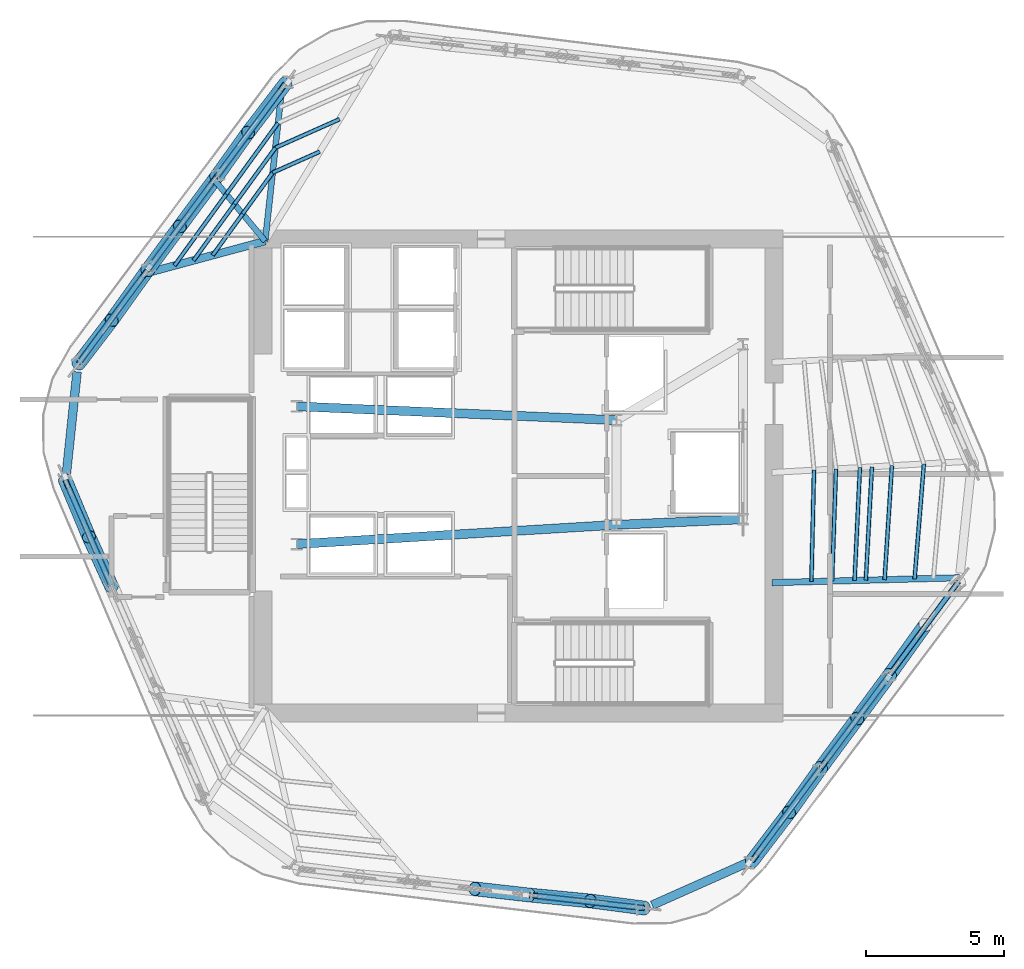
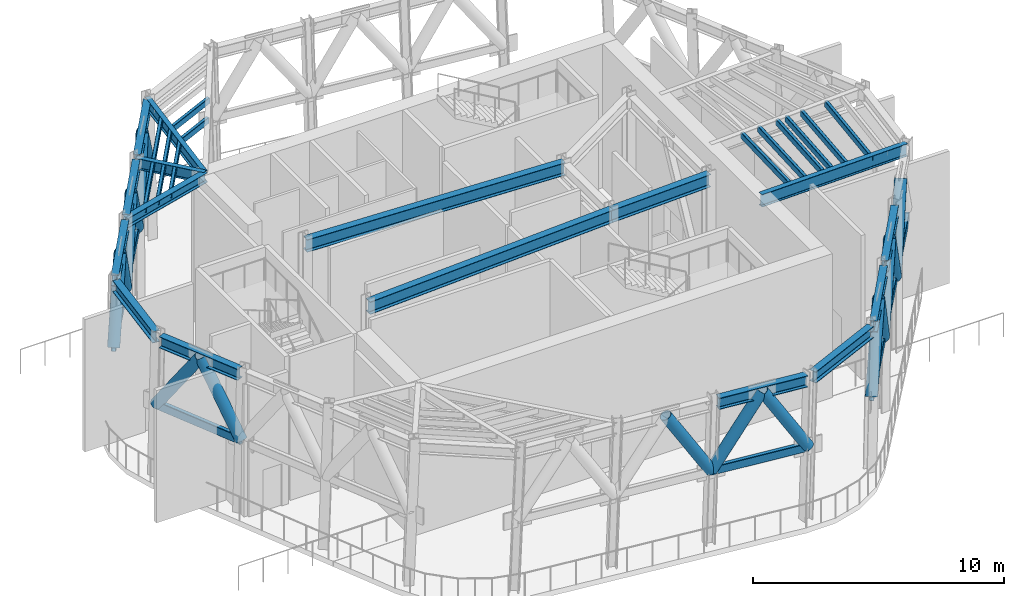
# One storey, part 2 of 10: 38 members, 16 beams.
"""IFC4 building model written with IfcOpenShell, lengths in metres."""

from ifc_helpers import new_model, si_unit, direction, frame, origin, origin_2d, place, context, subcontext, project, spatial, hollow_rectangle, hollow_circle, i_section, extrude, material, material_profile, profile_set, type_object, element, save


model = new_model("IFC4")

# Units and contexts
model_context = context("Model", 3, precision=1e-05, world=origin(), true_north=direction((0.0, 1.0)))
body_context = subcontext(model_context, "Body", "Model", "MODEL_VIEW")
ifc_project = project(units=[si_unit("LENGTHUNIT", "METRE"), si_unit("AREAUNIT", "SQUARE_METRE"), si_unit("VOLUMEUNIT", "CUBIC_METRE"), si_unit("PLANEANGLEUNIT", "RADIAN"), si_unit("MASSUNIT", "GRAM", prefix="KILO")], contexts=[model_context])

# Site, building, storey
site_placement = place(None, origin())
site = spatial("IfcSite", under=ifc_project, at=site_placement, CompositionType="ELEMENT")
building_placement = place(site_placement, origin())
building = spatial("IfcBuilding", under=site, at=building_placement, Name="Valkerne Bourse Tower", CompositionType="ELEMENT")
storey_placement = place(building_placement, frame((0.0, 0.0, 251.199951171875)))
storey = spatial("IfcBuildingStorey", under=building, at=storey_placement, Name="L64", CompositionType="ELEMENT", Elevation=251.199951171875)

# Beams
ifc_material_1 = material(Name="Steel ASTM A992", Category="steel")
ifc_material_profile_1 = material_profile(ifc_material_1, i_section(OverallWidth=0.279296875, OverallDepth=0.46240234375, WebThickness=0.0107421875, FlangeThickness=0.017333984375, FilletRadius=0.017822265625, at=origin_2d()), Name="W18X76")
ifc_profile_set_1 = profile_set([ifc_material_profile_1], Name="Steel ASTM A992")
beam_type_1 = type_object("IfcBeamType", Name="BM-W18X76", PredefinedType="BEAM", material=ifc_profile_set_1)
beam_1_placement = place(storey_placement, frame((33.26611328125, 34.229736328125, 6.768798828125), z_axis=(0.965429629998, 0.260663824728, 0.0), x_axis=(-0.260663824728, 0.965429629998, 0.0)))
element("IfcBeam", 1, at=beam_1_placement, inside=storey, type_object=beam_type_1, Name="L64 Radial Composite Floor Beam 06", PredefinedType="BEAM", context=body_context, shape_type="SweptSolid", body=[
    extrude(i_section(OverallWidth=0.279296875, OverallDepth=0.46240234375, WebThickness=0.0107421875, FlangeThickness=0.017333984375, FilletRadius=0.017822265625, at=origin_2d()), origin(), (0.0, 0.0, 1.0), 4.4892578125),
])
ifc_material_profile_2 = material_profile(ifc_material_1, i_section(OverallWidth=0.31494140625, OverallDepth=0.5537109375, WebThickness=0.0166015625, FlangeThickness=0.026123046875, FilletRadius=0.020263671875, at=origin_2d()), Name="W21X132")
ifc_profile_set_2 = profile_set([ifc_material_profile_2], Name="Steel ASTM A992")
beam_type_2 = type_object("IfcBeamType", Name="BM-W21X132", PredefinedType="BEAM", material=ifc_profile_set_2)
beam_2_placement = place(storey_placement, frame((38.11767578125, 40.907470703125, 6.72314453125), z_axis=(-0.5877742263, -0.809025005112, 0.0), x_axis=(0.809025005112, -0.5877742263, 0.0)))
element("IfcBeam", 2, at=beam_2_placement, inside=storey, type_object=beam_type_2, Name="L64 Hexagonal Spandrel Ring Beam 04", PredefinedType="BEAM", context=body_context, shape_type="SweptSolid", body=[
    extrude(i_section(OverallWidth=0.31494140625, OverallDepth=0.5537109375, WebThickness=0.0166015625, FlangeThickness=0.026123046875, FilletRadius=0.020263671875, at=origin_2d()), origin(), (0.0, 0.0, 1.0), 3.8720703125),
])
beam_3_placement = place(storey_placement, frame((35.641845703125, 37.5, 6.72314453125), z_axis=(-0.587744244506, -0.809046786688, 0.0), x_axis=(0.809046786688, -0.587744244506, 0.0)))
element("IfcBeam", 3, at=beam_3_placement, inside=storey, type_object=beam_type_2, Name="L64 Hexagonal Spandrel Ring Beam 05", PredefinedType="BEAM", context=body_context, shape_type="SweptSolid", body=[
    extrude(i_section(OverallWidth=0.31494140625, OverallDepth=0.5537109375, WebThickness=0.0166015625, FlangeThickness=0.026123046875, FilletRadius=0.020263671875, at=origin_2d()), origin(), (0.0, 0.0, 1.0), 3.872314453125),
])
beam_4_placement = place(storey_placement, frame((33.166259765625, 34.09228515625, 6.72314453125), z_axis=(-0.587815493138, -0.808995022251, 0.0), x_axis=(0.808995022251, -0.587815493138, 0.0)))
element("IfcBeam", 4, at=beam_4_placement, inside=storey, type_object=beam_type_2, Name="L64 Hexagonal Spandrel Ring Beam 06", PredefinedType="BEAM", context=body_context, shape_type="SweptSolid", body=[
    extrude(i_section(OverallWidth=0.31494140625, OverallDepth=0.5537109375, WebThickness=0.0166015625, FlangeThickness=0.026123046875, FilletRadius=0.020263671875, at=origin_2d()), origin(), (0.0, 0.0, 1.0), 3.8720703125),
])
beam_5_placement = place(storey_placement, frame((30.7724609375, 30.653076171875, 6.72314453125), z_axis=(-0.10450302056, -0.994524569176, 0.0), x_axis=(0.994524569176, -0.10450302056, 0.0)))
element("IfcBeam", 5, at=beam_5_placement, inside=storey, type_object=beam_type_2, Name="L64 Hexagonal Spandrel Ring Beam 07", PredefinedType="BEAM", context=body_context, shape_type="SweptSolid", body=[
    extrude(i_section(OverallWidth=0.31494140625, OverallDepth=0.5537109375, WebThickness=0.0166015625, FlangeThickness=0.026123046875, FilletRadius=0.020263671875, at=origin_2d()), origin(), (0.0, 0.0, 1.0), 3.91552734375),
])
for number, where, z_axis, x_axis, name in (
    (6, (30.41455078125, 26.4345703125, 6.72314453125), (0.406740935739, -0.913543546414, 0.0), (0.913543546414, 0.406740935739, 0.0), "L64 Hexagonal Spandrel Ring Beam 08"),
    (7, (47.474853515625, 11.646484375, 6.72314453125), (0.994527197496, -0.104478004581, 0.0), (0.104478004581, 0.994527197496, 0.0), "L64 Hexagonal Spandrel Ring Beam 14"),
):
    element("IfcBeam", number, at=place(storey_placement, frame(where, z_axis=z_axis, x_axis=x_axis)), inside=storey, type_object=beam_type_2, Name=name, PredefinedType="BEAM", context=body_context, shape_type="SweptSolid", body=[
        extrude(i_section(OverallWidth=0.31494140625, OverallDepth=0.5537109375, WebThickness=0.0166015625, FlangeThickness=0.026123046875, FilletRadius=0.020263671875, at=origin_2d()), origin(), (0.0, 0.0, 1.0), 3.8720703125),
    ])
beam_6_placement = place(storey_placement, frame((51.64990234375, 11.293212890625, 6.72314453125), z_axis=(0.913533658203, 0.406763144016, 0.0), x_axis=(-0.406763144016, 0.913533658203, 0.0)))
element("IfcBeam", 8, at=beam_6_placement, inside=storey, type_object=beam_type_2, Name="L64 Hexagonal Spandrel Ring Beam 15", PredefinedType="BEAM", context=body_context, shape_type="SweptSolid", body=[
    extrude(i_section(OverallWidth=0.31494140625, OverallDepth=0.5537109375, WebThickness=0.0166015625, FlangeThickness=0.026123046875, FilletRadius=0.020263671875, at=origin_2d()), origin(), (0.0, 0.0, 1.0), 3.915771484375),
])
beam_7_placement = place(storey_placement, frame((55.482421875, 13.092529296875, 6.72314453125), z_axis=(0.5877742263, 0.809025005112, 0.0), x_axis=(-0.809025005112, 0.5877742263, 0.0)))
element("IfcBeam", 9, at=beam_7_placement, inside=storey, type_object=beam_type_2, Name="L64 Hexagonal Spandrel Ring Beam 16", PredefinedType="BEAM", context=body_context, shape_type="SweptSolid", body=[
    extrude(i_section(OverallWidth=0.31494140625, OverallDepth=0.5537109375, WebThickness=0.0166015625, FlangeThickness=0.026123046875, FilletRadius=0.020263671875, at=origin_2d()), origin(), (0.0, 0.0, 1.0), 3.8720703125),
])
beam_8_placement = place(storey_placement, frame((57.9580078125, 16.5, 6.72314453125), z_axis=(0.587744244506, 0.809046786688, 0.0), x_axis=(-0.809046786688, 0.587744244506, 0.0)))
element("IfcBeam", 10, at=beam_8_placement, inside=storey, type_object=beam_type_2, Name="L64 Hexagonal Spandrel Ring Beam 17", PredefinedType="BEAM", context=body_context, shape_type="SweptSolid", body=[
    extrude(i_section(OverallWidth=0.31494140625, OverallDepth=0.5537109375, WebThickness=0.0166015625, FlangeThickness=0.026123046875, FilletRadius=0.020263671875, at=origin_2d()), origin(), (0.0, 0.0, 1.0), 3.872314453125),
])
ifc_material_profile_3 = material_profile(ifc_material_1, i_section(OverallWidth=0.209228515625, OverallDepth=0.533447265625, WebThickness=0.01025390625, FlangeThickness=0.015625, FilletRadius=0.017822265625, at=origin_2d()), Name="W21X62")
ifc_profile_set_3 = profile_set([ifc_material_profile_3], Name="Steel ASTM A992")
beam_type_3 = type_object("IfcBeamType", Name="BM-W21X62", PredefinedType="JOIST", material=ifc_profile_set_3)
beam_9_placement = place(storey_placement, frame((35.74169921875, 37.637451171875, 6.7333984375), z_axis=(0.638920367169, -0.769272880334, 0.0), x_axis=(0.769272880334, 0.638920367169, 0.0)))
element("IfcBeam", 11, at=beam_9_placement, inside=storey, type_object=beam_type_3, Name="L64 Radial Composite Floor Beam 05", PredefinedType="JOIST", context=body_context, shape_type="SweptSolid", body=[
    extrude(i_section(OverallWidth=0.209228515625, OverallDepth=0.533447265625, WebThickness=0.01025390625, FlangeThickness=0.015625, FilletRadius=0.017822265625, at=origin_2d()), origin(), (0.0, 0.0, 1.0), 2.90869140625),
])
ifc_material_profile_4 = material_profile(ifc_material_1, i_section(OverallWidth=0.2138671875, OverallDepth=0.548583984375, WebThickness=0.0146484375, FlangeThickness=0.023681640625, FilletRadius=0.017822265625, at=origin_2d()), Name="W21X93")
ifc_profile_set_4 = profile_set([ifc_material_profile_4], Name="Steel ASTM A992")
beam_type_4 = type_object("IfcBeamType", Name="BM-W21X93", PredefinedType="BEAM", material=ifc_profile_set_4)
beam_10_placement = place(storey_placement, frame((38.217529296875, 41.044921875, 6.725830078125), z_axis=(-0.108727918917, -0.994071546544, 0.0), x_axis=(0.994071546544, -0.108727918917, 0.0)))
element("IfcBeam", 12, at=beam_10_placement, inside=storey, type_object=beam_type_4, Name="L64 Radial Composite Floor Beam 04", PredefinedType="BEAM", context=body_context, shape_type="SweptSolid", body=[
    extrude(i_section(OverallWidth=0.2138671875, OverallDepth=0.548583984375, WebThickness=0.0146484375, FlangeThickness=0.023681640625, FilletRadius=0.017822265625, at=origin_2d()), origin(), (0.0, 0.0, 1.0), 5.6787109375),
])
ifc_material_profile_5 = material_profile(ifc_material_1, i_section(OverallWidth=0.3251953125, OverallDepth=0.612060546875, WebThickness=0.0126953125, FlangeThickness=0.01904296875, FilletRadius=0.020263671875, at=origin_2d()), Name="W24X104")
ifc_profile_set_5 = profile_set([ifc_material_profile_5], Name="Steel ASTM A992")
beam_type_5 = type_object("IfcBeamType", Name="BM-W24X104", PredefinedType="BEAM", material=ifc_profile_set_5)
beam_11_placement = place(storey_placement, frame((50.35009765625, 25.10009765625, 6.69384765625), z_axis=(0.999056558506, 0.043428019819, 0.0), x_axis=(-0.043428019819, 0.999056558506, 0.0)))
element("IfcBeam", 13, at=beam_11_placement, inside=storey, type_object=beam_type_5, Name="L64 Core Frame Girder CG-SE", PredefinedType="BEAM", context=body_context, shape_type="SweptSolid", body=[
    extrude(i_section(OverallWidth=0.3251953125, OverallDepth=0.612060546875, WebThickness=0.0126953125, FlangeThickness=0.01904296875, FilletRadius=0.020263671875, at=origin_2d()), origin(), (0.0, 0.0, 1.0), 4.604248046875),
])
beam_12_placement = place(storey_placement, frame((38.75, 24.39990234375, 6.69384765625), z_axis=(0.998183228389, 0.060251494276, 0.0), x_axis=(-0.060251494276, 0.998183228389, 0.0)))
element("IfcBeam", 14, at=beam_12_placement, inside=storey, type_object=beam_type_5, Name="L64 Core Frame Girder CG-SW", PredefinedType="BEAM", context=body_context, shape_type="SweptSolid", body=[
    extrude(i_section(OverallWidth=0.3251953125, OverallDepth=0.612060546875, WebThickness=0.0126953125, FlangeThickness=0.01904296875, FilletRadius=0.020263671875, at=origin_2d()), origin(), (0.0, 0.0, 1.0), 11.62109375),
])
beam_13_placement = place(storey_placement, frame((38.75, 29.39990234375, 6.69384765625), z_axis=(0.999072354402, -0.043063101019, 0.0), x_axis=(0.043063101019, 0.999072354402, 0.0)))
element("IfcBeam", 15, at=beam_13_placement, inside=storey, type_object=beam_type_5, Name="L64 Core Frame Girder CG-NW", PredefinedType="BEAM", context=body_context, shape_type="SweptSolid", body=[
    extrude(i_section(OverallWidth=0.3251953125, OverallDepth=0.612060546875, WebThickness=0.0126953125, FlangeThickness=0.01904296875, FilletRadius=0.020263671875, at=origin_2d()), origin(), (0.0, 0.0, 1.0), 11.61083984375),
])
ifc_material_profile_6 = material_profile(ifc_material_1, i_section(OverallWidth=0.228271484375, OverallDepth=0.607177734375, WebThickness=0.01123046875, FlangeThickness=0.017333984375, FilletRadius=0.017822265625, at=origin_2d()), Name="W24X76")
ifc_profile_set_6 = profile_set([ifc_material_profile_6], Name="Steel ASTM A992")
beam_type_6 = type_object("IfcBeamType", Name="BM-W24X76", PredefinedType="JOIST", material=ifc_profile_set_6)
beam_14_placement = place(storey_placement, frame((62.809814453125, 23.177734375, 6.696533203125), z_axis=(-0.999659575743, -0.026090853302, 0.0), x_axis=(0.026090853302, -0.999659575743, 0.0)))
element("IfcBeam", 16, at=beam_14_placement, inside=storey, type_object=beam_type_6, Name="L64 Radial Composite Floor Beam 19", PredefinedType="JOIST", context=body_context, shape_type="SweptSolid", body=[
    extrude(i_section(OverallWidth=0.228271484375, OverallDepth=0.607177734375, WebThickness=0.01123046875, FlangeThickness=0.017333984375, FilletRadius=0.017822265625, at=origin_2d()), origin(), (0.0, 0.0, 1.0), 6.81201171875),
])

# Members
ifc_material_2 = material(Name="Steel ASTM A500 Grade C", Category="steel")
ifc_material_profile_7 = material_profile(ifc_material_2, hollow_circle(Radius=0.25390625, WallThickness=0.01611328125, at=origin_2d()), Name="CHS508X16")
ifc_profile_set_7 = profile_set([ifc_material_profile_7], Name="Steel ASTM A500 Grade C")
member_type_1 = type_object("IfcMemberType", Name="MBR-CHS508X16", PredefinedType="BRACE", material=ifc_profile_set_7)
member_1_placement = place(storey_placement, frame((38.33154296875, 41.11328125, 3.5), z_axis=(-0.34496618706, -0.452187933119, 0.82251103514), x_axis=(0.795056893021, -0.606534860383, 0.0)))
element("IfcMember", 17, at=member_1_placement, inside=storey, type_object=member_type_1, Name="L64 Wind Portal Belt Brace 04A", PredefinedType="BRACE", context=body_context, shape_type="SweptSolid", body=[
    extrude(hollow_circle(Radius=0.25390625, WallThickness=0.01611328125, at=origin_2d()), origin(), (0.0, 0.0, 1.0), 3.918701171875),
])
member_2_placement = place(storey_placement, frame((35.828369140625, 37.72607421875, 3.5), z_axis=(0.304223297041, 0.426789934949, 0.851644607195), x_axis=(-0.814298589682, 0.580446213564, 0.0)))
element("IfcMember", 18, at=member_2_placement, inside=storey, type_object=member_type_1, Name="L64 Wind Portal Belt Brace 04B", PredefinedType="BRACE", context=body_context, shape_type="SweptSolid", body=[
    extrude(hollow_circle(Radius=0.25390625, WallThickness=0.01611328125, at=origin_2d()), origin(), (0.0, 0.0, 1.0), 3.78466796875),
])
member_3_placement = place(storey_placement, frame((35.828369140625, 37.72607421875, 3.5), z_axis=(-0.337989244406, -0.457422494457, 0.822513180581), x_axis=(0.804264918593, -0.594270932085, 0.0)))
element("IfcMember", 19, at=member_3_placement, inside=storey, type_object=member_type_1, Name="L64 Wind Portal Belt Brace 05A", PredefinedType="BRACE", context=body_context, shape_type="SweptSolid", body=[
    extrude(hollow_circle(Radius=0.25390625, WallThickness=0.01611328125, at=origin_2d()), origin(), (0.0, 0.0, 1.0), 3.918701171875),
])
member_4_placement = place(storey_placement, frame((33.3251953125, 34.338623046875, 3.5), z_axis=(0.311462819904, 0.421455385756, 0.851684372074), x_axis=(-0.80421963103, 0.594332217758, 0.0)))
element("IfcMember", 20, at=member_4_placement, inside=storey, type_object=member_type_1, Name="L64 Wind Portal Belt Brace 05B", PredefinedType="BRACE", context=body_context, shape_type="SweptSolid", body=[
    extrude(hollow_circle(Radius=0.25390625, WallThickness=0.01611328125, at=origin_2d()), origin(), (0.0, 0.0, 1.0), 3.784423828125),
])
member_5_placement = place(storey_placement, frame((33.3251953125, 34.338623046875, 3.5), z_axis=(-0.330941148397, -0.462582459873, 0.822493418889), x_axis=(0.813296582205, -0.581849352818, 0.0)))
element("IfcMember", 21, at=member_5_placement, inside=storey, type_object=member_type_1, Name="L64 Wind Portal Belt Brace 06A", PredefinedType="BRACE", context=body_context, shape_type="SweptSolid", body=[
    extrude(hollow_circle(Radius=0.25390625, WallThickness=0.01611328125, at=origin_2d()), origin(), (0.0, 0.0, 1.0), 3.918701171875),
])
member_6_placement = place(storey_placement, frame((30.822265625, 30.951171875, 3.5), z_axis=(0.318677244955, 0.416086686227, 0.851655260708), x_axis=(-0.793903429703, 0.60804386709, 0.0)))
element("IfcMember", 22, at=member_6_placement, inside=storey, type_object=member_type_1, Name="L64 Wind Portal Belt Brace 06B", PredefinedType="BRACE", context=body_context, shape_type="SweptSolid", body=[
    extrude(hollow_circle(Radius=0.25390625, WallThickness=0.01611328125, at=origin_2d()), origin(), (0.0, 0.0, 1.0), 3.78466796875),
])
member_7_placement = place(storey_placement, frame((30.34326171875, 26.72265625, 3.5), z_axis=(0.219177097148, -0.524828842062, 0.82250597969), x_axis=(0.922765501366, 0.385361946083, 0.0)))
element("IfcMember", 23, at=member_7_placement, inside=storey, type_object=member_type_1, Name="L64 Wind Portal Belt Brace 08A", PredefinedType="BRACE", context=body_context, shape_type="SweptSolid", body=[
    extrude(hollow_circle(Radius=0.25390625, WallThickness=0.01611328125, at=origin_2d()), origin(), (0.0, 0.0, 1.0), 3.918701171875),
])
member_8_placement = place(storey_placement, frame((32.025146484375, 22.861328125, 3.5), z_axis=(-0.217462099146, 0.476855484095, 0.851656669511), x_axis=(-0.909855735503, -0.414924740853, 0.0)))
element("IfcMember", 24, at=member_8_placement, inside=storey, type_object=member_type_1, Name="L64 Wind Portal Belt Brace 08B", PredefinedType="BRACE", context=body_context, shape_type="SweptSolid", body=[
    extrude(hollow_circle(Radius=0.25390625, WallThickness=0.01611328125, at=origin_2d()), origin(), (0.0, 0.0, 1.0), 3.78466796875),
])
member_9_placement = place(storey_placement, frame((47.181884765625, 11.661376953125, 3.5), z_axis=(-0.520735847994, 0.058963400033, 0.851679220171), x_axis=(-0.112511947468, -0.99365037195, 0.0)))
element("IfcMember", 25, at=member_9_placement, inside=storey, type_object=member_type_1, Name="L64 Wind Portal Belt Brace 13B", PredefinedType="BRACE", context=body_context, shape_type="SweptSolid", body=[
    extrude(hollow_circle(Radius=0.25390625, WallThickness=0.01611328125, at=origin_2d()), origin(), (0.0, 0.0, 1.0), 3.784423828125),
])
member_10_placement = place(storey_placement, frame((47.181884765625, 11.661376953125, 3.5), z_axis=(0.566066343372, -0.055385535908, 0.822497013559), x_axis=(0.097377835625, 0.995247485367, 0.0)))
element("IfcMember", 26, at=member_10_placement, inside=storey, type_object=member_type_1, Name="L64 Wind Portal Belt Brace 14A", PredefinedType="BRACE", context=body_context, shape_type="SweptSolid", body=[
    extrude(hollow_circle(Radius=0.25390625, WallThickness=0.01611328125, at=origin_2d()), origin(), (0.0, 0.0, 1.0), 3.918701171875),
])
member_11_placement = place(storey_placement, frame((51.366943359375, 11.187255859375, 3.5), z_axis=(-0.519687050561, 0.067928309861, 0.851651991249), x_axis=(-0.129607539237, -0.991565371407, 0.0)))
element("IfcMember", 27, at=member_11_placement, inside=storey, type_object=member_type_1, Name="L64 Wind Portal Belt Brace 14B", PredefinedType="BRACE", context=body_context, shape_type="SweptSolid", body=[
    extrude(hollow_circle(Radius=0.25390625, WallThickness=0.01611328125, at=origin_2d()), origin(), (0.0, 0.0, 1.0), 3.78466796875),
])
member_12_placement = place(storey_placement, frame((55.2685546875, 12.88671875, 3.5), z_axis=(0.34496618706, 0.452187933119, 0.82251103514), x_axis=(-0.795056893021, 0.606534860383, 0.0)))
element("IfcMember", 28, at=member_12_placement, inside=storey, type_object=member_type_1, Name="L64 Wind Portal Belt Brace 16A", PredefinedType="BRACE", context=body_context, shape_type="SweptSolid", body=[
    extrude(hollow_circle(Radius=0.25390625, WallThickness=0.01611328125, at=origin_2d()), origin(), (0.0, 0.0, 1.0), 3.918701171875),
])
member_13_placement = place(storey_placement, frame((57.771484375, 16.27392578125, 3.5), z_axis=(-0.304164756963, -0.426798310089, 0.851661319497), x_axis=(0.814356764408, -0.580364592531, 0.0)))
element("IfcMember", 29, at=member_13_placement, inside=storey, type_object=member_type_1, Name="L64 Wind Portal Belt Brace 16B", PredefinedType="BRACE", context=body_context, shape_type="SweptSolid", body=[
    extrude(hollow_circle(Radius=0.25390625, WallThickness=0.01611328125, at=origin_2d()), origin(), (0.0, 0.0, 1.0), 3.784423828125),
])
member_14_placement = place(storey_placement, frame((57.771484375, 16.27392578125, 3.5), z_axis=(0.337989244406, 0.457422494457, 0.822513180581), x_axis=(-0.804264918593, 0.594270932085, 0.0)))
element("IfcMember", 30, at=member_14_placement, inside=storey, type_object=member_type_1, Name="L64 Wind Portal Belt Brace 17A", PredefinedType="BRACE", context=body_context, shape_type="SweptSolid", body=[
    extrude(hollow_circle(Radius=0.25390625, WallThickness=0.01611328125, at=origin_2d()), origin(), (0.0, 0.0, 1.0), 3.918701171875),
])
member_15_placement = place(storey_placement, frame((60.274658203125, 19.661376953125, 3.5), z_axis=(-0.311462819904, -0.421455385756, 0.851684372074), x_axis=(0.80421963103, -0.594332217758, 0.0)))
element("IfcMember", 31, at=member_15_placement, inside=storey, type_object=member_type_1, Name="L64 Wind Portal Belt Brace 17B", PredefinedType="BRACE", context=body_context, shape_type="SweptSolid", body=[
    extrude(hollow_circle(Radius=0.25390625, WallThickness=0.01611328125, at=origin_2d()), origin(), (0.0, 0.0, 1.0), 3.784423828125),
])
member_16_placement = place(storey_placement, frame((60.274658203125, 19.661376953125, 3.5), z_axis=(0.330996624053, 0.462572921813, 0.822476459767), x_axis=(-0.813244748607, 0.581921797892, 0.0)))
element("IfcMember", 32, at=member_16_placement, inside=storey, type_object=member_type_1, Name="L64 Wind Portal Belt Brace 18A", PredefinedType="BRACE", context=body_context, shape_type="SweptSolid", body=[
    extrude(hollow_circle(Radius=0.25390625, WallThickness=0.01611328125, at=origin_2d()), origin(), (0.0, 0.0, 1.0), 3.9189453125),
])
ifc_material_profile_8 = material_profile(ifc_material_2, hollow_rectangle(XDim=0.14990234375, YDim=0.300048828125, WallThickness=0.012451171875, OuterFilletRadius=0.02490234375, at=origin_2d()), Name="HSS300X150X12.5")
ifc_profile_set_8 = profile_set([ifc_material_profile_8], Name="Steel ASTM A500 Grade C")
member_type_2 = type_object("IfcMemberType", Name="MBR-HSS300X150X12.5", PredefinedType="PURLIN", material=ifc_profile_set_8)
member_17_placement = place(storey_placement, frame((58.17919921875, 23.056884765625, 6.840087890625), z_axis=(0.03485416958, 0.999392408848, 0.0), x_axis=(-0.999392408848, 0.03485416958, 0.0)))
element("IfcMember", 33, at=member_17_placement, inside=storey, type_object=member_type_2, Name="L64 Secondary Composite Floor Purlin I-19", PredefinedType="PURLIN", context=body_context, shape_type="SweptSolid", body=[
    extrude(hollow_rectangle(XDim=0.14990234375, YDim=0.300048828125, WallThickness=0.012451171875, OuterFilletRadius=0.02490234375, at=origin_2d()), origin(), (0.0, 0.0, 1.0), 4.07666015625),
])
member_18_placement = place(storey_placement, frame((39.582275390625, 38.6455078125, 6.840087890625), z_axis=(-0.913531766909, -0.406767391574, 0.0), x_axis=(0.406767391574, -0.913531766909, 0.0)))
element("IfcMember", 34, at=member_18_placement, inside=storey, type_object=member_type_2, Name="L64 Secondary Composite Floor Purlin K-03", PredefinedType="PURLIN", context=body_context, shape_type="SweptSolid", body=[
    extrude(hollow_rectangle(XDim=0.14990234375, YDim=0.300048828125, WallThickness=0.012451171875, OuterFilletRadius=0.02490234375, at=origin_2d()), origin(), (0.0, 0.0, 1.0), 1.87255859375),
])
member_19_placement = place(storey_placement, frame((37.87158203125, 37.8837890625, 6.840087890625), z_axis=(-0.58772509121, -0.809060700542, 0.0), x_axis=(0.809060700542, -0.58772509121, 0.0)))
element("IfcMember", 35, at=member_19_placement, inside=storey, type_object=member_type_2, Name="L64 Secondary Composite Floor Purlin K-04", PredefinedType="PURLIN", context=body_context, shape_type="SweptSolid", body=[
    extrude(hollow_rectangle(XDim=0.14990234375, YDim=0.300048828125, WallThickness=0.012451171875, OuterFilletRadius=0.02490234375, at=origin_2d()), origin(), (0.0, 0.0, 1.0), 1.85302734375),
])
member_20_placement = place(storey_placement, frame((36.782470703125, 36.384521484375, 6.840087890625), z_axis=(-0.587748679143, -0.80904356506, 0.0), x_axis=(0.80904356506, -0.587748679143, 0.0)))
element("IfcMember", 36, at=member_20_placement, inside=storey, type_object=member_type_2, Name="L64 Secondary Composite Floor Purlin K-05", PredefinedType="PURLIN", context=body_context, shape_type="SweptSolid", body=[
    extrude(hollow_rectangle(XDim=0.14990234375, YDim=0.300048828125, WallThickness=0.012451171875, OuterFilletRadius=0.02490234375, at=origin_2d()), origin(), (0.0, 0.0, 1.0), 1.853515625),
])
member_21_placement = place(storey_placement, frame((58.996337890625, 23.078125, 6.840087890625), z_axis=(0.047615987512, 0.998865715566, 0.0), x_axis=(-0.998865715566, 0.047615987512, 0.0)))
element("IfcMember", 37, at=member_21_placement, inside=storey, type_object=member_type_2, Name="L64 Secondary Composite Floor Purlin K-19", PredefinedType="PURLIN", context=body_context, shape_type="SweptSolid", body=[
    extrude(hollow_rectangle(XDim=0.14990234375, YDim=0.300048828125, WallThickness=0.012451171875, OuterFilletRadius=0.02490234375, at=origin_2d()), origin(), (0.0, 0.0, 1.0), 4.10693359375),
])
member_22_placement = place(storey_placement, frame((59.40478515625, 23.0888671875, 6.840087890625), z_axis=(0.053954509637, 0.998543394595, 0.0), x_axis=(-0.998543394595, 0.053954509637, 0.0)))
element("IfcMember", 38, at=member_22_placement, inside=storey, type_object=member_type_2, Name="L64 Secondary Composite Floor Purlin M-19", PredefinedType="PURLIN", context=body_context, shape_type="SweptSolid", body=[
    extrude(hollow_rectangle(XDim=0.14990234375, YDim=0.300048828125, WallThickness=0.012451171875, OuterFilletRadius=0.02490234375, at=origin_2d()), origin(), (0.0, 0.0, 1.0), 4.122314453125),
])
for number, where, z_axis, x_axis, name in (
    (39, (38.0693359375, 39.690185546875, 6.840087890625), (-0.587777109059, -0.809022910718, 0.0), (0.809022910718, -0.587777109059, 0.0), "L64 Secondary Composite Floor Purlin O-04"),
    (40, (36.187744140625, 37.100341796875, 6.840087890625), (-0.587777109059, -0.809022910718, 0.0), (0.809022910718, -0.587777109059, 0.0), "L64 Secondary Composite Floor Purlin O-05"),
):
    element("IfcMember", number, at=place(storey_placement, frame(where, z_axis=z_axis, x_axis=x_axis)), inside=storey, type_object=member_type_2, Name=name, PredefinedType="PURLIN", context=body_context, shape_type="SweptSolid", body=[
        extrude(hollow_rectangle(XDim=0.14990234375, YDim=0.300048828125, WallThickness=0.012451171875, OuterFilletRadius=0.02490234375, at=origin_2d()), origin(), (0.0, 0.0, 1.0), 3.201171875),
    ])
member_23_placement = place(storey_placement, frame((61.17529296875, 23.135009765625, 6.840087890625), z_axis=(0.080692284263, 0.996739060768, 0.0), x_axis=(-0.996739060768, 0.080692284263, 0.0)))
element("IfcMember", 41, at=member_23_placement, inside=storey, type_object=member_type_2, Name="L64 Secondary Composite Floor Purlin O-19", PredefinedType="PURLIN", context=body_context, shape_type="SweptSolid", body=[
    extrude(hollow_rectangle(XDim=0.14990234375, YDim=0.300048828125, WallThickness=0.012451171875, OuterFilletRadius=0.02490234375, at=origin_2d()), origin(), (0.0, 0.0, 1.0), 4.1904296875),
])
member_24_placement = place(storey_placement, frame((40.30322265625, 39.825439453125, 6.840087890625), z_axis=(-0.913570855124, -0.406679594604, 0.0), x_axis=(0.406679594604, -0.913570855124, 0.0)))
element("IfcMember", 42, at=member_24_placement, inside=storey, type_object=member_type_2, Name="L64 Secondary Composite Floor Purlin Z-03", PredefinedType="PURLIN", context=body_context, shape_type="SweptSolid", body=[
    extrude(hollow_rectangle(XDim=0.14990234375, YDim=0.300048828125, WallThickness=0.012451171875, OuterFilletRadius=0.02490234375, at=origin_2d()), origin(), (0.0, 0.0, 1.0), 2.55322265625),
])
member_25_placement = place(storey_placement, frame((37.970703125, 38.787109375, 6.840087890625), z_axis=(-0.587798297127, -0.809007516588, 0.0), x_axis=(0.809007516588, -0.587798297127, 0.0)))
element("IfcMember", 43, at=member_25_placement, inside=storey, type_object=member_type_2, Name="L64 Secondary Composite Floor Purlin Z-04", PredefinedType="PURLIN", context=body_context, shape_type="SweptSolid", body=[
    extrude(hollow_rectangle(XDim=0.14990234375, YDim=0.300048828125, WallThickness=0.012451171875, OuterFilletRadius=0.02490234375, at=origin_2d()), origin(), (0.0, 0.0, 1.0), 2.52734375),
])
member_26_placement = place(storey_placement, frame((36.485107421875, 36.742431640625, 6.840087890625), z_axis=(-0.587781007505, -0.809020078377, 0.0), x_axis=(0.809020078377, -0.587781007505, 0.0)))
element("IfcMember", 44, at=member_26_placement, inside=storey, type_object=member_type_2, Name="L64 Secondary Composite Floor Purlin Z-05", PredefinedType="PURLIN", context=body_context, shape_type="SweptSolid", body=[
    extrude(hollow_rectangle(XDim=0.14990234375, YDim=0.300048828125, WallThickness=0.012451171875, OuterFilletRadius=0.02490234375, at=origin_2d()), origin(), (0.0, 0.0, 1.0), 2.527099609375),
])
member_27_placement = place(storey_placement, frame((60.085693359375, 23.106689453125, 6.840087890625), z_axis=(0.064389841001, 0.997924821004, 0.0), x_axis=(-0.997924821004, 0.064389841001, 0.0)))
element("IfcMember", 45, at=member_27_placement, inside=storey, type_object=member_type_2, Name="L64 Secondary Composite Floor Purlin Z-19", PredefinedType="PURLIN", context=body_context, shape_type="SweptSolid", body=[
    extrude(hollow_rectangle(XDim=0.14990234375, YDim=0.300048828125, WallThickness=0.012451171875, OuterFilletRadius=0.02490234375, at=origin_2d()), origin(), (0.0, 0.0, 1.0), 4.14794921875),
])
member_28_placement = place(storey_placement, frame((57.429931640625, 23.037353515625, 6.840087890625), z_axis=(0.023088392592, 0.999733427533, 0.0), x_axis=(-0.999733427533, 0.023088392592, 0.0)))
element("IfcMember", 46, at=member_28_placement, inside=storey, type_object=member_type_2, Name="L64 Secondary Composite Floor Purlin S-19", PredefinedType="PURLIN", context=body_context, shape_type="SweptSolid", body=[
    extrude(hollow_rectangle(XDim=0.14990234375, YDim=0.300048828125, WallThickness=0.012451171875, OuterFilletRadius=0.02490234375, at=origin_2d()), origin(), (0.0, 0.0, 1.0), 4.0498046875),
])
ifc_material_profile_9 = material_profile(ifc_material_2, hollow_rectangle(XDim=0.199951171875, YDim=0.39990234375, WallThickness=0.01611328125, OuterFilletRadius=0.031982421875, at=origin_2d()), Name="HSS400X200X16")
ifc_profile_set_9 = profile_set([ifc_material_profile_9], Name="Steel ASTM A500 Grade C")
member_type_3 = type_object("IfcMemberType", Name="MBR-HSS400X200X16", PredefinedType="CHORD", material=ifc_profile_set_9)
member_29_placement = place(storey_placement, frame((38.33154296875, 41.11328125, 3.5), z_axis=(-0.594327494819, -0.804223121342, 0.0), x_axis=(0.804223121342, -0.594327494819, 0.0)))
element("IfcMember", 47, at=member_29_placement, inside=storey, type_object=member_type_3, Name="L64 Wind Portal Belt Girt 04", PredefinedType="CHORD", context=body_context, shape_type="SweptSolid", body=[
    extrude(hollow_rectangle(XDim=0.199951171875, YDim=0.39990234375, WallThickness=0.01611328125, OuterFilletRadius=0.031982421875, at=origin_2d()), origin(), (0.0, 0.0, 1.0), 4.211669921875),
])
for number, where, z_axis, x_axis, name in (
    (48, (35.828369140625, 37.72607421875, 3.5), (-0.594299789541, -0.804243595033, 0.0), (0.804243595033, -0.594299789541, 0.0), "L64 Wind Portal Belt Girt 05"),
    (49, (33.3251953125, 34.338623046875, 3.5), (-0.59426229636, -0.804271299454, 0.0), (0.804271299454, -0.59426229636, 0.0), "L64 Wind Portal Belt Girt 06"),
):
    element("IfcMember", number, at=place(storey_placement, frame(where, z_axis=z_axis, x_axis=x_axis)), inside=storey, type_object=member_type_3, Name=name, PredefinedType="CHORD", context=body_context, shape_type="SweptSolid", body=[
        extrude(hollow_rectangle(XDim=0.199951171875, YDim=0.39990234375, WallThickness=0.01611328125, OuterFilletRadius=0.031982421875, at=origin_2d()), origin(), (0.0, 0.0, 1.0), 4.2119140625),
    ])
member_30_placement = place(storey_placement, frame((30.34326171875, 26.72265625, 3.5), z_axis=(0.399334354169, -0.916805362975, 0.0), x_axis=(0.916805362975, 0.399334354169, 0.0)))
element("IfcMember", 50, at=member_30_placement, inside=storey, type_object=member_type_3, Name="L64 Wind Portal Belt Girt 08", PredefinedType="CHORD", context=body_context, shape_type="SweptSolid", body=[
    extrude(hollow_rectangle(XDim=0.199951171875, YDim=0.39990234375, WallThickness=0.01611328125, OuterFilletRadius=0.031982421875, at=origin_2d()), origin(), (0.0, 0.0, 1.0), 4.211669921875),
])
member_31_placement = place(storey_placement, frame((47.181884765625, 11.661376953125, 3.5), z_axis=(0.993643918823, -0.112568923717, 0.0), x_axis=(0.112568923717, 0.993643918823, 0.0)))
element("IfcMember", 51, at=member_31_placement, inside=storey, type_object=member_type_3, Name="L64 Wind Portal Belt Girt 14", PredefinedType="CHORD", context=body_context, shape_type="SweptSolid", body=[
    extrude(hollow_rectangle(XDim=0.199951171875, YDim=0.39990234375, WallThickness=0.01611328125, OuterFilletRadius=0.031982421875, at=origin_2d()), origin(), (0.0, 0.0, 1.0), 4.2119140625),
])
member_32_placement = place(storey_placement, frame((55.2685546875, 12.88671875, 3.5), z_axis=(0.5942900018, 0.804250827641, 0.0), x_axis=(-0.804250827641, 0.5942900018, 0.0)))
element("IfcMember", 52, at=member_32_placement, inside=storey, type_object=member_type_3, Name="L64 Wind Portal Belt Girt 16", PredefinedType="CHORD", context=body_context, shape_type="SweptSolid", body=[
    extrude(hollow_rectangle(XDim=0.199951171875, YDim=0.39990234375, WallThickness=0.01611328125, OuterFilletRadius=0.031982421875, at=origin_2d()), origin(), (0.0, 0.0, 1.0), 4.211669921875),
])
for number, where, z_axis, x_axis, name in (
    (53, (57.771484375, 16.27392578125, 3.5), (0.594299789541, 0.804243595033, 0.0), (-0.804243595033, 0.594299789541, 0.0), "L64 Wind Portal Belt Girt 17"),
    (54, (60.274658203125, 19.661376953125, 3.5), (0.594299789541, 0.804243595033, 0.0), (-0.804243595033, 0.594299789541, 0.0), "L64 Wind Portal Belt Girt 18"),
):
    element("IfcMember", number, at=place(storey_placement, frame(where, z_axis=z_axis, x_axis=x_axis)), inside=storey, type_object=member_type_3, Name=name, PredefinedType="CHORD", context=body_context, shape_type="SweptSolid", body=[
        extrude(hollow_rectangle(XDim=0.199951171875, YDim=0.39990234375, WallThickness=0.01611328125, OuterFilletRadius=0.031982421875, at=origin_2d()), origin(), (0.0, 0.0, 1.0), 4.2119140625),
    ])

save(model, "model.ifc")
